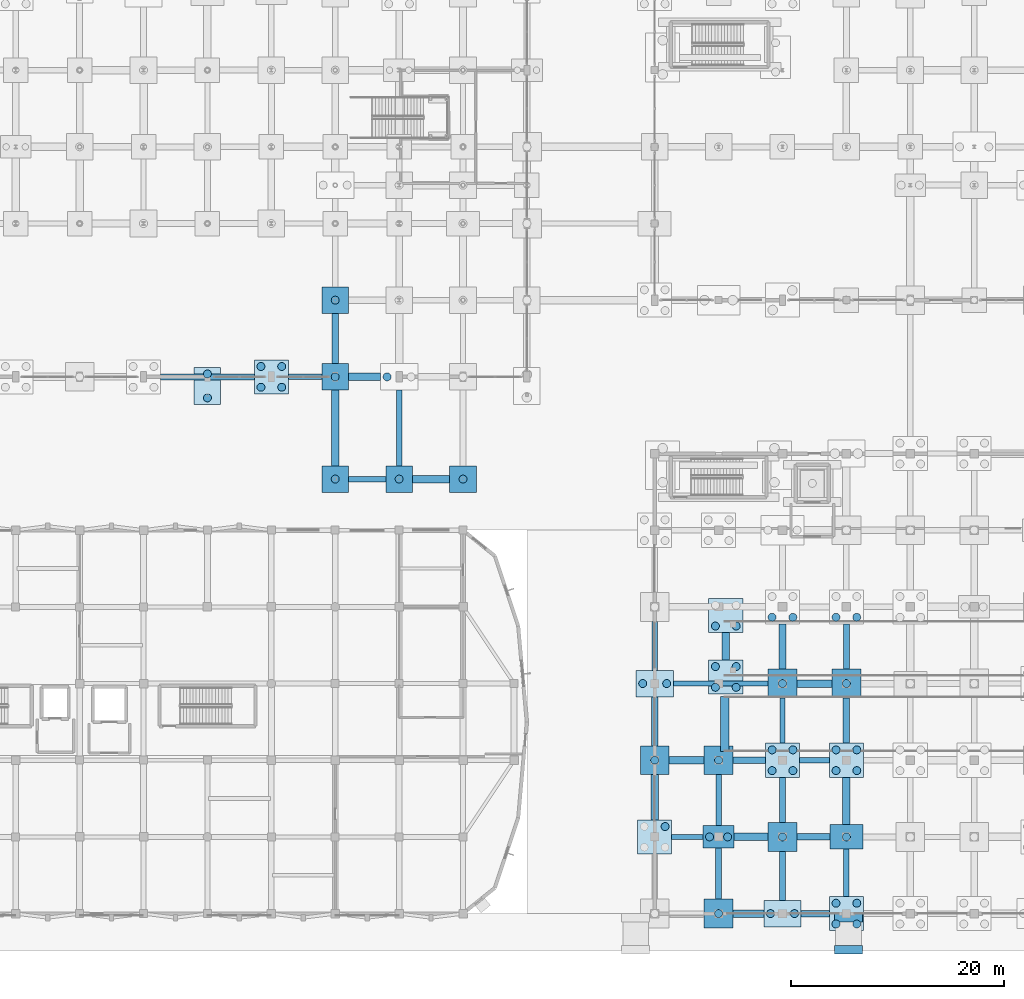
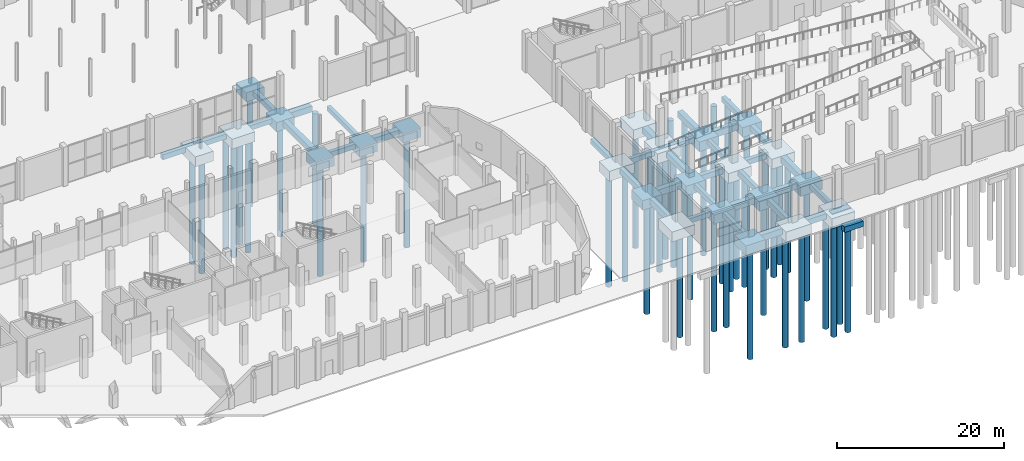
# One storey, part 2 of 103: 58 footings, 48 piles.
"""IFC4 building model written with IfcOpenShell, lengths in metres."""

import ifcopenshell
import ifcopenshell.guid

model = None  # the IFC model being written
_history = None  # IfcOwnerHistory: only IFC2X3 demands one
_inside = {}  # id of a spatial element -> (the spatial element, [elements in it])
_under = {}  # id of a project, library or spatial element -> (it, [spatial elements below it])
_declared = {}  # id of a project -> (the project, [libraries it declares])
_typed = {}  # id of a type object -> (the type object, [elements of that type])
_made_of = {}  # id of a material, layer set ... -> (it, [elements and type objects made of it])


def new_model(schema):
    """Start an empty IFC model of exactly this schema.

    Asked for "IFC4X3", IfcOpenShell would pick the latest addendum, in which some entities
    have other attributes; the version numbers below select the first issue.
    IFC2X3 requires an IfcOwnerHistory on every rooted entity: one is made here for all.
    """
    global model, _history
    if schema == "IFC4X3":
        model = ifcopenshell.file(schema_version=(4, 3, 0, 0))
    else:
        model = ifcopenshell.file(schema=schema)
    _inside.clear()
    _under.clear()
    _declared.clear()
    _typed.clear()
    _made_of.clear()
    _history = None
    if model.schema == "IFC2X3":
        org = make("IfcOrganization", Name="unknown")
        user = make(
            "IfcPersonAndOrganization",
            ThePerson=make("IfcPerson", FamilyName="unknown"),
            TheOrganization=org,
        )
        app = make(
            "IfcApplication",
            ApplicationDeveloper=org,
            Version="unknown",
            ApplicationFullName="unknown",
            ApplicationIdentifier="unknown",
        )
        _history = make(
            "IfcOwnerHistory",
            OwningUser=user,
            OwningApplication=app,
            ChangeAction="ADDED",
            CreationDate=0,
        )
    return model


def make(cls, **values):
    """One entity of the class cls with the attributes given. An attribute that is None is left unset."""
    return model.create_entity(
        cls, **{name: value for name, value in values.items() if value is not None}
    )


def rooted(cls, **values):
    """An entity with a GlobalId (a new one), such as an element, a storey or a relation."""
    return make(cls, GlobalId=ifcopenshell.guid.new(), OwnerHistory=_history, **values)


def si_unit(unit_type, name, prefix=None):
    """IfcSIUnit, for example si_unit("LENGTHUNIT", "METRE", prefix="MILLI")."""
    return make("IfcSIUnit", UnitType=unit_type, Prefix=prefix, Name=name)


def assignment(units):
    """IfcUnitAssignment: the units of a project."""
    return None if units is None else make("IfcUnitAssignment", Units=units)


def point(xyz):
    """IfcCartesianPoint."""
    return None if xyz is None else make("IfcCartesianPoint", Coordinates=xyz)


def direction(xyz):
    """IfcDirection."""
    return None if xyz is None else make("IfcDirection", DirectionRatios=xyz)


def frame(location, z_axis=None, x_axis=None):
    """IfcAxis2Placement3D, a coordinate frame: its origin and axes. An axis left out is left unset."""
    return make(
        "IfcAxis2Placement3D",
        Location=point(location),
        Axis=direction(z_axis),
        RefDirection=direction(x_axis),
    )


def frame_2d(location, x_axis=None):
    """IfcAxis2Placement2D, a coordinate frame in the plane: its origin and x axis."""
    return make(
        "IfcAxis2Placement2D", Location=point(location), RefDirection=direction(x_axis)
    )


def origin():
    """The frame at (0, 0, 0) with its axes left unset."""
    return frame((0.0, 0.0, 0.0))


def origin_2d():
    """The frame at (0, 0) in the plane with its x axis left unset."""
    return frame_2d((0.0, 0.0))


def place(relative_to, where):
    """IfcLocalPlacement: puts the frame where relative to a parent placement (None: the world)."""
    return make(
        "IfcLocalPlacement", PlacementRelTo=relative_to, RelativePlacement=where
    )


def context(
    kind, dimensions, precision=None, world=None, true_north=None, identifier=None
):
    """IfcGeometricRepresentationContext, for example the 3D "Model" context."""
    return make(
        "IfcGeometricRepresentationContext",
        ContextIdentifier=identifier,
        ContextType=kind,
        CoordinateSpaceDimension=dimensions,
        Precision=precision,
        WorldCoordinateSystem=world,
        TrueNorth=true_north,
    )


def subcontext(parent, identifier, kind, view, scale=None):
    """IfcGeometricRepresentationSubContext, for example "Body" below "Model"."""
    return make(
        "IfcGeometricRepresentationSubContext",
        ContextIdentifier=identifier,
        ContextType=kind,
        ParentContext=parent,
        TargetScale=scale,
        TargetView=view,
    )


def project(units=None, contexts=None):
    """IfcProject with its units and contexts."""
    return rooted(
        "IfcProject",
        Name="project",
        RepresentationContexts=contexts,
        UnitsInContext=assignment(units),
    )


def spatial(cls, under=None, at=None, **own):
    """A site, building, storey or space (cls), placed at a placement, below another one or the project."""
    s = rooted(cls, ObjectPlacement=at, **own)
    if under is not None:
        _under.setdefault(under.id(), (under, []))[1].append(s)
    return s


def profile(cls, at=None, kind="AREA", **sizes):
    """A parametric profile (cls). Its sizes go by their IFC names, for example OverallWidth=200.0."""
    return make(cls, ProfileType=kind, Position=at, **sizes)


def rectangle(**sizes):
    """IfcRectangleProfileDef."""
    return profile("IfcRectangleProfileDef", **sizes)


def circle(**sizes):
    """IfcCircleProfileDef."""
    return profile("IfcCircleProfileDef", **sizes)


def extrude(swept, where, along, depth):
    """IfcExtrudedAreaSolid: the profile swept, set in the frame where, extruded along a direction by depth."""
    return make(
        "IfcExtrudedAreaSolid",
        SweptArea=swept,
        Position=where,
        ExtrudedDirection=direction(along),
        Depth=depth,
    )


def shape(context_of_items, identifier, shape_type, items):
    """IfcShapeRepresentation: the items that make up one representation, for example the "Body"."""
    return make(
        "IfcShapeRepresentation",
        ContextOfItems=context_of_items,
        RepresentationIdentifier=identifier,
        RepresentationType=shape_type,
        Items=items,
    )


def material(Name=None, Category=None):
    """IfcMaterial."""
    return make("IfcMaterial", Name=Name, Category=Category)


def material_profile(
    of_material, cross_section, Name=None, Category=None, Priority=None
):
    """IfcMaterialProfile: a cross section and its material."""
    return make(
        "IfcMaterialProfile",
        Name=Name,
        Material=of_material,
        Profile=cross_section,
        Priority=Priority,
        Category=Category,
    )


def profile_set(profiles, Name=None, composite=None):
    """IfcMaterialProfileSet."""
    return make(
        "IfcMaterialProfileSet",
        Name=Name,
        MaterialProfiles=profiles,
        CompositeProfile=composite,
    )


def made_of(thing, what):
    """Note that an element or type object is made of a material, layer set ...; save() writes the relation."""
    if what is not None:
        _made_of.setdefault(what.id(), (what, []))[1].append(thing)
    return thing


def type_object(cls, material=None, **own):
    """A type object (cls), such as IfcWallType, which elements share."""
    return made_of(rooted(cls, **own), material)


def element(
    cls,
    number,
    at=None,
    inside=None,
    cuts=None,
    type_object=None,
    material=None,
    context=None,
    identifier="Body",
    shape_type=None,
    held_by="IfcProductDefinitionShape",
    body=None,
    shapes=None,
    **own,
):
    """One element of the class cls, such as IfcWall. Its Tag is "e" and its number.

    at: its placement. inside: the storey or other place that contains it. cuts: it is an
    opening in that element (IfcRelVoidsElement). A single representation is given by context,
    identifier, shape_type and body (its items); several are given by shapes. held_by: the class
    of the entity that holds the representations. save() writes the other relations.
    """
    e = rooted(cls, Tag="e%d" % number, ObjectPlacement=at, **own)
    if body is not None:
        shapes = [shape(context, identifier, shape_type, body)]
    if shapes is not None:
        e.Representation = make(held_by, Representations=shapes)
    if inside is not None:
        _inside.setdefault(inside.id(), (inside, []))[1].append(e)
    if cuts is not None:
        rooted(
            "IfcRelVoidsElement", RelatingBuildingElement=cuts, RelatedOpeningElement=e
        )
    if type_object is not None:
        _typed.setdefault(type_object.id(), (type_object, []))[1].append(e)
    return made_of(e, material)


def aggregate(whole, parts):
    """IfcRelAggregates: a whole, such as a stair, and the parts it consists of."""
    return rooted("IfcRelAggregates", RelatingObject=whole, RelatedObjects=parts)


def save(model, path):
    """Write the relations noted so far, then the file.

    IfcRelAggregates (storeys below a building ...), IfcRelContainedInSpatialStructure (elements
    in a storey), IfcRelDefinesByType, IfcRelAssociatesMaterial and IfcRelDeclares: one each for
    every whole, place, type object, material and project.
    """
    for whole, parts in _under.values():
        aggregate(whole, parts)
    for where, things in _inside.values():
        rooted(
            "IfcRelContainedInSpatialStructure",
            RelatedElements=things,
            RelatingStructure=where,
        )
    for kind, things in _typed.values():
        rooted("IfcRelDefinesByType", RelatedObjects=things, RelatingType=kind)
    for what, things in _made_of.values():
        rooted("IfcRelAssociatesMaterial", RelatedObjects=things, RelatingMaterial=what)
    for by, libraries in _declared.values():
        rooted("IfcRelDeclares", RelatingContext=by, RelatedDefinitions=libraries)
    model.write(path)


model = new_model("IFC4")

# Units and contexts
model_context = context("Model", 3, precision=1e-05, world=origin(), true_north=direction((0.0, 1.0)))
body_context = subcontext(model_context, "Body", "Model", "MODEL_VIEW")
ifc_project = project(units=[si_unit("LENGTHUNIT", "METRE"), si_unit("AREAUNIT", "SQUARE_METRE"), si_unit("VOLUMEUNIT", "CUBIC_METRE"), si_unit("PLANEANGLEUNIT", "RADIAN"), si_unit("MASSUNIT", "GRAM", prefix="KILO")], contexts=[model_context])

# Site, building, storey
site_placement = place(None, origin())
site = spatial("IfcSite", under=ifc_project, at=site_placement, CompositionType="ELEMENT")
building_placement = place(site_placement, origin())
building = spatial("IfcBuilding", under=site, at=building_placement, Name="Dunvalen Ferry Terminal", CompositionType="ELEMENT")
storey_placement = place(building_placement, origin())
storey = spatial("IfcBuildingStorey", under=building, at=storey_placement, Name="L00", CompositionType="ELEMENT", Elevation=0.0)

# Footings
ifc_material = material(Name="Concrete C40/50", Category="concrete")
ifc_material_profile_1 = material_profile(ifc_material, rectangle(XDim=0.5, YDim=0.699951171875, at=origin_2d()), Name="Concrete C40/50")
ifc_profile_set_1 = profile_set([ifc_material_profile_1], Name="Concrete C40/50")
footing_type_1 = type_object("IfcFootingType", Name="STR-GB-500x700", PredefinedType="FOOTING_BEAM", material=ifc_profile_set_1)
footing_1_placement = place(storey_placement, frame((109.60009765625, 7.199951171875, -0.669921875), z_axis=(1.0, 0.0, 0.0), x_axis=(0.0, 1.0, 0.0)))
element("IfcFooting", 1, at=footing_1_placement, inside=storey, type_object=footing_type_1, Name="L00 Ground Beam X-139", PredefinedType="FOOTING_BEAM", context=body_context, shape_type="SweptSolid", body=[
    extrude(rectangle(XDim=0.5, YDim=0.699951171875, at=origin_2d()), origin(), (0.0, 0.0, 1.0), 2.949951171875),
])
footing_2_placement = place(storey_placement, frame((109.75, 21.60009765625, -0.669921875), z_axis=(1.0, 0.0, 0.0), x_axis=(0.0, 1.0, 0.0)))
element("IfcFooting", 2, at=footing_2_placement, inside=storey, type_object=footing_type_1, Name="L00 Ground Beam X-155", PredefinedType="FOOTING_BEAM", context=body_context, shape_type="SweptSolid", body=[
    extrude(rectangle(XDim=0.5, YDim=0.699951171875, at=origin_2d()), origin(), (0.0, 0.0, 1.0), 8.89990234375),
])
footing_3_placement = place(storey_placement, frame((79.25, 40.800048828125, -0.669921875), z_axis=(1.0, 0.0, 0.0), x_axis=(0.0, 1.0, 0.0)))
element("IfcFooting", 3, at=footing_3_placement, inside=storey, type_object=footing_type_1, Name="L00 Ground Beam X-179", PredefinedType="FOOTING_BEAM", context=body_context, shape_type="SweptSolid", body=[
    extrude(rectangle(XDim=0.5, YDim=0.699951171875, at=origin_2d()), origin(), (0.0, 0.0, 1.0), 3.5),
])
footing_4_placement = place(storey_placement, frame((73.60009765625, 50.39990234375, -0.669921875), z_axis=(1.0, 0.0, 0.0), x_axis=(0.0, 1.0, 0.0)))
element("IfcFooting", 4, at=footing_4_placement, inside=storey, type_object=footing_type_1, Name="L00 Ground Beam X-199", PredefinedType="FOOTING_BEAM", context=body_context, shape_type="SweptSolid", body=[
    extrude(rectangle(XDim=0.5, YDim=0.699951171875, at=origin_2d()), origin(), (0.0, 0.0, 1.0), 3.14990234375),
])
footing_5_placement = place(storey_placement, frame((84.0, 42.050048828125, -0.669921875), z_axis=(0.0, 1.0, 0.0), x_axis=(-1.0, 0.0, 0.0)))
element("IfcFooting", 5, at=footing_5_placement, inside=storey, type_object=footing_type_1, Name="L00 Ground Beam Y-431", PredefinedType="FOOTING_BEAM", context=body_context, shape_type="SweptSolid", body=[
    extrude(rectangle(XDim=0.5, YDim=0.699951171875, at=origin_2d()), origin(), (0.0, 0.0, 1.0), 7.099853515625),
])
footing_6_placement = place(storey_placement, frame((114.0, 8.25, -0.669921875), z_axis=(0.0, 1.0, 0.0), x_axis=(-1.0, 0.0, 0.0)))
element("IfcFooting", 6, at=footing_6_placement, inside=storey, type_object=footing_type_1, Name="L00 Ground Beam Y-459", PredefinedType="FOOTING_BEAM", context=body_context, shape_type="SweptSolid", body=[
    extrude(rectangle(XDim=0.5, YDim=0.699951171875, at=origin_2d()), origin(), (0.0, 0.0, 1.0), 4.800048828125),
])
footing_7_placement = place(storey_placement, frame((120.0, 16.0, -0.669921875), z_axis=(0.0, 1.0, 0.0), x_axis=(-1.0, 0.0, 0.0)))
element("IfcFooting", 7, at=footing_7_placement, inside=storey, type_object=footing_type_1, Name="L00 Ground Beam Y-463", PredefinedType="FOOTING_BEAM", context=body_context, shape_type="SweptSolid", body=[
    extrude(rectangle(XDim=0.5, YDim=0.699951171875, at=origin_2d()), origin(), (0.0, 0.0, 1.0), 4.25),
])
footing_8_placement = place(storey_placement, frame((126.0, 1.60009765625, -0.669921875), z_axis=(0.0, 1.0, 0.0), x_axis=(-1.0, 0.0, 0.0)))
element("IfcFooting", 8, at=footing_8_placement, inside=storey, type_object=footing_type_1, Name="L00 Ground Beam Y-467", PredefinedType="FOOTING_BEAM", context=body_context, shape_type="SweptSolid", body=[
    extrude(rectangle(XDim=0.5, YDim=0.699951171875, at=origin_2d()), origin(), (0.0, 0.0, 1.0), 4.449951171875),
])
ifc_material_profile_2 = material_profile(ifc_material, rectangle(XDim=0.550048828125, YDim=0.75, at=origin_2d()), Name="Concrete C40/50")
ifc_profile_set_2 = profile_set([ifc_material_profile_2], Name="Concrete C40/50")
footing_type_2 = type_object("IfcFootingType", Name="STR-GB-550x750", PredefinedType="FOOTING_BEAM", material=ifc_profile_set_2)
footing_9_placement = place(storey_placement, frame((121.60009765625, 14.39990234375, -0.695068359375), z_axis=(1.0, 0.0, 0.0), x_axis=(0.0, 1.0, 0.0)))
element("IfcFooting", 9, at=footing_9_placement, inside=storey, type_object=footing_type_2, Name="L00 Ground Beam X-150", PredefinedType="FOOTING_BEAM", context=body_context, shape_type="SweptSolid", body=[
    extrude(rectangle(XDim=0.550048828125, YDim=0.75, at=origin_2d()), origin(), (0.0, 0.0, 1.0), 2.7998046875),
])
footing_10_placement = place(storey_placement, frame((61.60009765625, 50.39990234375, -0.695068359375), z_axis=(1.0, 0.0, 0.0), x_axis=(0.0, 1.0, 0.0)))
element("IfcFooting", 10, at=footing_10_placement, inside=storey, type_object=footing_type_2, Name="L00 Ground Beam X-198", PredefinedType="FOOTING_BEAM", context=body_context, shape_type="SweptSolid", body=[
    extrude(rectangle(XDim=0.550048828125, YDim=0.75, at=origin_2d()), origin(), (0.0, 0.0, 1.0), 8.7998046875),
])
footing_11_placement = place(storey_placement, frame((108.0, 22.85009765625, -0.695068359375), z_axis=(0.0, 1.0, 0.0), x_axis=(-1.0, 0.0, 0.0)))
element("IfcFooting", 11, at=footing_11_placement, inside=storey, type_object=footing_type_2, Name="L00 Ground Beam Y-454", PredefinedType="FOOTING_BEAM", context=body_context, shape_type="SweptSolid", body=[
    extrude(rectangle(XDim=0.550048828125, YDim=0.75, at=origin_2d()), origin(), (0.0, 0.0, 1.0), 4.599853515625),
])
footing_12_placement = place(storey_placement, frame((114.0, 1.35009765625, -0.695068359375), z_axis=(0.0, 1.0, 0.0), x_axis=(-1.0, 0.0, 0.0)))
element("IfcFooting", 12, at=footing_12_placement, inside=storey, type_object=footing_type_2, Name="L00 Ground Beam Y-458", PredefinedType="FOOTING_BEAM", context=body_context, shape_type="SweptSolid", body=[
    extrude(rectangle(XDim=0.550048828125, YDim=0.75, at=origin_2d()), origin(), (0.0, 0.0, 1.0), 4.7998046875),
])
for number, where, z_axis, x_axis, name in (
    (13, (120.0, 8.550048828125, -0.695068359375), (0.0, 1.0, 0.0), (-1.0, 0.0, 0.0), "L00 Ground Beam Y-462"),
    (14, (126.0, 22.949951171875, -0.695068359375), (0.0, 1.0, 0.0), (-1.0, 0.0, 0.0), "L00 Ground Beam Y-470"),
):
    element("IfcFooting", number, at=place(storey_placement, frame(where, z_axis=z_axis, x_axis=x_axis)), inside=storey, type_object=footing_type_2, Name=name, PredefinedType="FOOTING_BEAM", context=body_context, shape_type="SweptSolid", body=[
        extrude(rectangle(XDim=0.550048828125, YDim=0.75, at=origin_2d()), origin(), (0.0, 0.0, 1.0), 4.25),
    ])
ifc_material_profile_3 = material_profile(ifc_material, rectangle(XDim=0.60009765625, YDim=0.800048828125, at=origin_2d()), Name="Concrete C40/50")
ifc_profile_set_3 = profile_set([ifc_material_profile_3], Name="Concrete C40/50")
footing_type_3 = type_object("IfcFootingType", Name="STR-GB-600x800", PredefinedType="FOOTING_BEAM", material=ifc_profile_set_3)
footing_13_placement = place(storey_placement, frame((121.75, 0.0, -0.719970703125), z_axis=(1.0, 0.0, 0.0), x_axis=(0.0, 1.0, 0.0)))
element("IfcFooting", 15, at=footing_13_placement, inside=storey, type_object=footing_type_3, Name="L00 Ground Beam X-133", PredefinedType="FOOTING_BEAM", context=body_context, shape_type="SweptSolid", body=[
    extrude(rectangle(XDim=0.60009765625, YDim=0.800048828125, at=origin_2d()), origin(), (0.0, 0.0, 1.0), 2.64990234375),
])
footing_14_placement = place(storey_placement, frame((121.35009765625, 7.199951171875, -0.719970703125), z_axis=(1.0, 0.0, 0.0), x_axis=(0.0, 1.0, 0.0)))
element("IfcFooting", 16, at=footing_14_placement, inside=storey, type_object=footing_type_3, Name="L00 Ground Beam X-141", PredefinedType="FOOTING_BEAM", context=body_context, shape_type="SweptSolid", body=[
    extrude(rectangle(XDim=0.60009765625, YDim=0.800048828125, at=origin_2d()), origin(), (0.0, 0.0, 1.0), 3.099853515625),
])
footing_15_placement = place(storey_placement, frame((115.35009765625, 14.39990234375, -0.719970703125), z_axis=(1.0, 0.0, 0.0), x_axis=(0.0, 1.0, 0.0)))
element("IfcFooting", 17, at=footing_15_placement, inside=storey, type_object=footing_type_3, Name="L00 Ground Beam X-149", PredefinedType="FOOTING_BEAM", context=body_context, shape_type="SweptSolid", body=[
    extrude(rectangle(XDim=0.60009765625, YDim=0.800048828125, at=origin_2d()), origin(), (0.0, 0.0, 1.0), 3.0498046875),
])
footing_16_placement = place(storey_placement, frame((78.0, 51.64990234375, -0.719970703125), z_axis=(0.0, 1.0, 0.0), x_axis=(-1.0, 0.0, 0.0)))
element("IfcFooting", 18, at=footing_16_placement, inside=storey, type_object=footing_type_3, Name="L00 Ground Beam Y-425", PredefinedType="FOOTING_BEAM", context=body_context, shape_type="SweptSolid", body=[
    extrude(rectangle(XDim=0.60009765625, YDim=0.800048828125, at=origin_2d()), origin(), (0.0, 0.0, 1.0), 4.7001953125),
])
for number, where, z_axis, x_axis, name in (
    (19, (108.0, 15.75, -0.719970703125), (0.0, 1.0, 0.0), (-1.0, 0.0, 0.0), "L00 Ground Beam Y-453"),
    (20, (120.0, 1.25, -0.719970703125), (0.0, 1.0, 0.0), (-1.0, 0.0, 0.0), "L00 Ground Beam Y-461"),
):
    element("IfcFooting", number, at=place(storey_placement, frame(where, z_axis=z_axis, x_axis=x_axis)), inside=storey, type_object=footing_type_3, Name=name, PredefinedType="FOOTING_BEAM", context=body_context, shape_type="SweptSolid", body=[
        extrude(rectangle(XDim=0.60009765625, YDim=0.800048828125, at=origin_2d()), origin(), (0.0, 0.0, 1.0), 4.60009765625),
    ])
footing_17_placement = place(storey_placement, frame((126.0, 16.0, -0.719970703125), z_axis=(0.0, 1.0, 0.0), x_axis=(-1.0, 0.0, 0.0)))
element("IfcFooting", 21, at=footing_17_placement, inside=storey, type_object=footing_type_3, Name="L00 Ground Beam Y-469", PredefinedType="FOOTING_BEAM", context=body_context, shape_type="SweptSolid", body=[
    extrude(rectangle(XDim=0.60009765625, YDim=0.800048828125, at=origin_2d()), origin(), (0.0, 0.0, 1.0), 4.25),
])
ifc_material_profile_4 = material_profile(ifc_material, rectangle(XDim=0.699951171875, YDim=0.89990234375, at=origin_2d()), Name="Concrete C40/50")
ifc_profile_set_4 = profile_set([ifc_material_profile_4], Name="Concrete C40/50")
footing_type_4 = type_object("IfcFootingType", Name="STR-GB-700x900", PredefinedType="FOOTING_BEAM", material=ifc_profile_set_4)
footing_18_placement = place(storey_placement, frame((115.35009765625, 0.0, -0.77001953125), z_axis=(1.0, 0.0, 0.0), x_axis=(0.0, 1.0, 0.0)))
element("IfcFooting", 22, at=footing_18_placement, inside=storey, type_object=footing_type_4, Name="L00 Ground Beam X-132", PredefinedType="FOOTING_BEAM", context=body_context, shape_type="SweptSolid", body=[
    extrude(rectangle(XDim=0.699951171875, YDim=0.89990234375, at=origin_2d()), origin(), (0.0, 0.0, 1.0), 2.89990234375),
])
footing_19_placement = place(storey_placement, frame((115.449951171875, 7.199951171875, -0.77001953125), z_axis=(1.0, 0.0, 0.0), x_axis=(0.0, 1.0, 0.0)))
element("IfcFooting", 23, at=footing_19_placement, inside=storey, type_object=footing_type_4, Name="L00 Ground Beam X-140", PredefinedType="FOOTING_BEAM", context=body_context, shape_type="SweptSolid", body=[
    extrude(rectangle(XDim=0.699951171875, YDim=0.89990234375, at=origin_2d()), origin(), (0.0, 0.0, 1.0), 3.199951171875),
])
for number, where, z_axis, x_axis, name in (
    (24, (109.35009765625, 14.39990234375, -0.77001953125), (1.0, 0.0, 0.0), (0.0, 1.0, 0.0), "L00 Ground Beam X-148"),
    (25, (121.35009765625, 21.60009765625, -0.77001953125), (1.0, 0.0, 0.0), (0.0, 1.0, 0.0), "L00 Ground Beam X-156"),
):
    element("IfcFooting", number, at=place(storey_placement, frame(where, z_axis=z_axis, x_axis=x_axis)), inside=storey, type_object=footing_type_4, Name=name, PredefinedType="FOOTING_BEAM", context=body_context, shape_type="SweptSolid", body=[
        extrude(rectangle(XDim=0.699951171875, YDim=0.89990234375, at=origin_2d()), origin(), (0.0, 0.0, 1.0), 3.2998046875),
    ])
footing_20_placement = place(storey_placement, frame((85.25, 40.800048828125, -0.77001953125), z_axis=(1.0, 0.0, 0.0), x_axis=(0.0, 1.0, 0.0)))
element("IfcFooting", 26, at=footing_20_placement, inside=storey, type_object=footing_type_4, Name="L00 Ground Beam X-180", PredefinedType="FOOTING_BEAM", context=body_context, shape_type="SweptSolid", body=[
    extrude(rectangle(XDim=0.699951171875, YDim=0.89990234375, at=origin_2d()), origin(), (0.0, 0.0, 1.0), 3.5),
])
footing_21_placement = place(storey_placement, frame((79.25, 50.39990234375, -0.77001953125), z_axis=(1.0, 0.0, 0.0), x_axis=(0.0, 1.0, 0.0)))
element("IfcFooting", 27, at=footing_21_placement, inside=storey, type_object=footing_type_4, Name="L00 Ground Beam X-200", PredefinedType="FOOTING_BEAM", context=body_context, shape_type="SweptSolid", body=[
    extrude(rectangle(XDim=0.699951171875, YDim=0.89990234375, at=origin_2d()), origin(), (0.0, 0.0, 1.0), 3.0),
])
footing_22_placement = place(storey_placement, frame((78.0, 42.050048828125, -0.77001953125), z_axis=(0.0, 1.0, 0.0), x_axis=(-1.0, 0.0, 0.0)))
element("IfcFooting", 28, at=footing_22_placement, inside=storey, type_object=footing_type_4, Name="L00 Ground Beam Y-424", PredefinedType="FOOTING_BEAM", context=body_context, shape_type="SweptSolid", body=[
    extrude(rectangle(XDim=0.699951171875, YDim=0.89990234375, at=origin_2d()), origin(), (0.0, 0.0, 1.0), 7.099853515625),
])
footing_23_placement = place(storey_placement, frame((108.0, 8.800048828125, -0.77001953125), z_axis=(0.0, 1.0, 0.0), x_axis=(-1.0, 0.0, 0.0)))
element("IfcFooting", 29, at=footing_23_placement, inside=storey, type_object=footing_type_4, Name="L00 Ground Beam Y-452", PredefinedType="FOOTING_BEAM", context=body_context, shape_type="SweptSolid", body=[
    extrude(rectangle(XDim=0.699951171875, YDim=0.89990234375, at=origin_2d()), origin(), (0.0, 0.0, 1.0), 4.25),
])
footing_24_placement = place(storey_placement, frame((114.675048828125, 23.824951171875, -0.77001953125), z_axis=(0.0, 1.0, 0.0), x_axis=(-1.0, 0.0, 0.0)))
element("IfcFooting", 30, at=footing_24_placement, inside=storey, type_object=footing_type_4, Name="L00 Ground Beam Y-460", PredefinedType="FOOTING_BEAM", context=body_context, shape_type="SweptSolid", body=[
    extrude(rectangle(XDim=0.699951171875, YDim=0.89990234375, at=origin_2d()), origin(), (0.0, 0.0, 1.0), 2.550048828125),
])
footing_25_placement = place(storey_placement, frame((120.0, 22.949951171875, -0.77001953125), z_axis=(0.0, 1.0, 0.0), x_axis=(-1.0, 0.0, 0.0)))
element("IfcFooting", 31, at=footing_25_placement, inside=storey, type_object=footing_type_4, Name="L00 Ground Beam Y-464", PredefinedType="FOOTING_BEAM", context=body_context, shape_type="SweptSolid", body=[
    extrude(rectangle(XDim=0.699951171875, YDim=0.89990234375, at=origin_2d()), origin(), (0.0, 0.0, 1.0), 4.25),
])
footing_26_placement = place(storey_placement, frame((126.0, 8.35009765625, -0.77001953125), z_axis=(0.0, 1.0, 0.0), x_axis=(-1.0, 0.0, 0.0)))
element("IfcFooting", 32, at=footing_26_placement, inside=storey, type_object=footing_type_4, Name="L00 Ground Beam Y-468", PredefinedType="FOOTING_BEAM", context=body_context, shape_type="SweptSolid", body=[
    extrude(rectangle(XDim=0.699951171875, YDim=0.89990234375, at=origin_2d()), origin(), (0.0, 0.0, 1.0), 4.449951171875),
])
footing_type_5 = type_object("IfcFootingType", Name="STR-PC-05", PredefinedType="PILE_CAP", material=ifc_material)
for number, where, z_axis, x_axis, name in (
    (33, (78.0, 40.800048828125, -1.670166015625), (0.0, 0.0, 1.0), (1.0, 0.0, 0.0), "L00 Pile Cap 105"),
    (34, (78.0, 50.39990234375, -1.670166015625), (0.0, 0.0, 1.0), (1.0, 0.0, 0.0), "L00 Pile Cap 106"),
    (35, (78.0, 57.60009765625, -1.670166015625), (0.0, 0.0, 1.0), (1.0, 0.0, 0.0), "L00 Pile Cap 107"),
    (36, (84.0, 40.800048828125, -1.670166015625), (0.0, 0.0, 1.0), (1.0, 0.0, 0.0), "L00 Pile Cap 113"),
    (37, (90.0, 40.800048828125, -1.670166015625), (0.0, 0.0, 1.0), (1.0, 0.0, 0.0), "L00 Pile Cap 121"),
):
    element("IfcFooting", number, at=place(storey_placement, frame(where, z_axis=z_axis, x_axis=x_axis)), inside=storey, type_object=footing_type_5, Name=name, PredefinedType="PILE_CAP", context=body_context, shape_type="SweptSolid", body=[
        extrude(rectangle(XDim=2.5, YDim=2.5, at=origin_2d()), origin(), (0.0, 0.0, 1.0), 1.35009765625),
    ])
footing_type_6 = type_object("IfcFootingType", Name="STR-PC-06", PredefinedType="PILE_CAP", material=ifc_material)
for number, where, z_axis, x_axis, name in (
    (38, (108.0, 14.39990234375, -1.719970703125), (0.0, 0.0, 1.0), (1.0, 0.0, 0.0), "L00 Pile Cap 138"),
    (39, (114.0, 0.0, -1.719970703125), (0.0, 0.0, 1.0), (1.0, 0.0, 0.0), "L00 Pile Cap 148"),
    (40, (114.0, 14.39990234375, -1.719970703125), (0.0, 0.0, 1.0), (1.0, 0.0, 0.0), "L00 Pile Cap 150"),
    (41, (120.0, 7.199951171875, -1.719970703125), (0.0, 0.0, 1.0), (1.0, 0.0, 0.0), "L00 Pile Cap 160"),
    (42, (120.0, 21.60009765625, -1.719970703125), (0.0, 0.0, 1.0), (1.0, 0.0, 0.0), "L00 Pile Cap 162"),
    (43, (126.0, 21.60009765625, -1.719970703125), (0.0, 0.0, 1.0), (1.0, 0.0, 0.0), "L00 Pile Cap 175"),
):
    element("IfcFooting", number, at=place(storey_placement, frame(where, z_axis=z_axis, x_axis=x_axis)), inside=storey, type_object=footing_type_6, Name=name, PredefinedType="PILE_CAP", context=body_context, shape_type="SweptSolid", body=[
        extrude(rectangle(XDim=2.699951171875, YDim=2.699951171875, at=origin_2d()), origin(), (0.0, 0.0, 1.0), 1.39990234375),
    ])
footing_type_7 = type_object("IfcFootingType", Name="STR-PC-07", PredefinedType="PILE_CAP", material=ifc_material)
footing_27_placement = place(storey_placement, frame((114.0, 7.199951171875, -1.670166015625), z_axis=(0.0, 0.0, 1.0), x_axis=(1.0, 0.0, 0.0)))
element("IfcFooting", 44, at=footing_27_placement, inside=storey, type_object=footing_type_7, Name="L00 Pile Cap 149", PredefinedType="PILE_CAP", context=body_context, shape_type="SweptSolid", body=[
    extrude(rectangle(XDim=2.89990234375, YDim=2.10009765625, at=origin_2d()), origin(), (0.0, 0.0, 1.0), 1.35009765625),
])
footing_type_8 = type_object("IfcFootingType", Name="STR-PC-08", PredefinedType="PILE_CAP", material=ifc_material)
footing_28_placement = place(storey_placement, frame((126.0, 7.199951171875, -1.719970703125), z_axis=(0.0, 0.0, 1.0), x_axis=(1.0, 0.0, 0.0)))
element("IfcFooting", 45, at=footing_28_placement, inside=storey, type_object=footing_type_8, Name="L00 Pile Cap 173", PredefinedType="PILE_CAP", context=body_context, shape_type="SweptSolid", body=[
    extrude(rectangle(XDim=3.10009765625, YDim=2.300048828125, at=origin_2d()), origin(), (0.0, 0.0, 1.0), 1.39990234375),
])
footing_type_9 = type_object("IfcFootingType", Name="STR-PC-09", PredefinedType="PILE_CAP", material=ifc_material)
for number, where, z_axis, x_axis, name in (
    (46, (72.0, 50.39990234375, -1.77001953125), (0.0, 0.0, 1.0), (1.0, 0.0, 0.0), "L00 Pile Cap 100"),
    (47, (108.0, 7.199951171875, -1.77001953125), (0.0, 0.0, 1.0), (1.0, 0.0, 0.0), "L00 Pile Cap 137"),
    (48, (114.675048828125, 22.22509765625, -1.77001953125), (0.0, 0.0, 1.0), (1.0, 0.0, 0.0), "L00 Pile Cap 151"),
    (49, (114.675048828125, 27.97509765625, -1.77001953125), (0.0, 0.0, 1.0), (1.0, 0.0, 0.0), "L00 Pile Cap 152"),
    (50, (120.0, 14.39990234375, -1.77001953125), (0.0, 0.0, 1.0), (1.0, 0.0, 0.0), "L00 Pile Cap 161"),
    (51, (126.0, 0.0, -1.77001953125), (0.0, 0.0, 1.0), (1.0, 0.0, 0.0), "L00 Pile Cap 172"),
    (52, (126.0, 14.39990234375, -1.77001953125), (0.0, 0.0, 1.0), (1.0, 0.0, 0.0), "L00 Pile Cap 174"),
):
    element("IfcFooting", number, at=place(storey_placement, frame(where, z_axis=z_axis, x_axis=x_axis)), inside=storey, type_object=footing_type_9, Name=name, PredefinedType="PILE_CAP", context=body_context, shape_type="SweptSolid", body=[
        extrude(rectangle(XDim=3.199951171875, YDim=3.199951171875, at=origin_2d()), origin(), (0.0, 0.0, 1.0), 1.449951171875),
    ])
footing_type_10 = type_object("IfcFootingType", Name="STR-PC-10", PredefinedType="PILE_CAP", material=ifc_material)
for number, where, z_axis, x_axis, name in (
    (53, (66.0, 49.550048828125, -1.77001953125), (0.0, 0.0, 1.0), (0.0, 1.0, 0.0), "L00 Pile Cap 095"),
    (54, (108.0, 21.60009765625, -1.77001953125), (0.0, 0.0, 1.0), (1.0, 0.0, 0.0), "L00 Pile Cap 139"),
    (55, (120.0, 0.0, -1.77001953125), (0.0, 0.0, 1.0), (1.0, 0.0, 0.0), "L00 Pile Cap 159"),
):
    element("IfcFooting", number, at=place(storey_placement, frame(where, z_axis=z_axis, x_axis=x_axis)), inside=storey, type_object=footing_type_10, Name=name, PredefinedType="PILE_CAP", context=body_context, shape_type="SweptSolid", body=[
        extrude(rectangle(XDim=3.5, YDim=2.5, at=origin_2d()), origin(), (0.0, 0.0, 1.0), 1.449951171875),
    ])

# Piles
ifc_material_profile_5 = material_profile(ifc_material, circle(Radius=0.375, at=origin_2d()), Name="Concrete C40/50")
ifc_profile_set_5 = profile_set([ifc_material_profile_5], Name="Concrete C40/50")
pile_type = type_object("IfcPileType", Name="STR-PILE-P750", PredefinedType="BORED", material=ifc_profile_set_5)
for number, where, z_axis, x_axis, name in (
    (56, (66.0, 48.425048828125, -1.669921875), (0.0, 0.0, -1.0), (1.0, 0.0, 0.0), "L00 Bored Pile 095.1"),
    (57, (66.0, 50.675048828125, -1.669921875), (0.0, 0.0, -1.0), (1.0, 0.0, 0.0), "L00 Bored Pile 095.2"),
    (58, (71.02490234375, 49.425048828125, -1.669921875), (0.0, 0.0, -1.0), (1.0, 0.0, 0.0), "L00 Bored Pile 100.1"),
    (59, (72.97509765625, 49.425048828125, -1.669921875), (0.0, 0.0, -1.0), (1.0, 0.0, 0.0), "L00 Bored Pile 100.2"),
    (60, (71.02490234375, 51.375, -1.669921875), (0.0, 0.0, -1.0), (1.0, 0.0, 0.0), "L00 Bored Pile 100.3"),
    (61, (72.97509765625, 51.375, -1.669921875), (0.0, 0.0, -1.0), (1.0, 0.0, 0.0), "L00 Bored Pile 100.4"),
):
    element("IfcPile", number, at=place(storey_placement, frame(where, z_axis=z_axis, x_axis=x_axis)), inside=storey, type_object=pile_type, Name=name, PredefinedType="BORED", context=body_context, shape_type="SweptSolid", body=[
        extrude(circle(Radius=0.375, at=origin_2d()), origin(), (0.0, 0.0, 1.0), 16.330078125),
    ])
for number, where, z_axis, x_axis, name in (
    (62, (78.0, 40.800048828125, -1.570068359375), (0.0, 0.0, -1.0), (1.0, 0.0, 0.0), "L00 Bored Pile 105.1"),
    (63, (78.0, 50.39990234375, -1.570068359375), (0.0, 0.0, -1.0), (1.0, 0.0, 0.0), "L00 Bored Pile 106.1"),
    (64, (78.0, 57.60009765625, -1.570068359375), (0.0, 0.0, -1.0), (1.0, 0.0, 0.0), "L00 Bored Pile 107.1"),
    (65, (84.0, 40.800048828125, -1.570068359375), (0.0, 0.0, -1.0), (1.0, 0.0, 0.0), "L00 Bored Pile 113.1"),
):
    element("IfcPile", number, at=place(storey_placement, frame(where, z_axis=z_axis, x_axis=x_axis)), inside=storey, type_object=pile_type, Name=name, PredefinedType="BORED", context=body_context, shape_type="SweptSolid", body=[
        extrude(circle(Radius=0.375, at=origin_2d()), origin(), (0.0, 0.0, 1.0), 16.429931640625),
    ])
pile_1_placement = place(storey_placement, frame((82.875, 50.39990234375, -1.669921875), z_axis=(0.0, 0.0, -1.0), x_axis=(1.0, 0.0, 0.0)))
element("IfcPile", 66, at=pile_1_placement, inside=storey, type_object=pile_type, Name="L00 Bored Pile 114.1", PredefinedType="BORED", context=body_context, shape_type="SweptSolid", body=[
    extrude(circle(Radius=0.375, at=origin_2d()), origin(), (0.0, 0.0, 1.0), 16.330078125),
])
pile_2_placement = place(storey_placement, frame((90.0, 40.800048828125, -1.570068359375), z_axis=(0.0, 0.0, -1.0), x_axis=(1.0, 0.0, 0.0)))
element("IfcPile", 67, at=pile_2_placement, inside=storey, type_object=pile_type, Name="L00 Bored Pile 121.1", PredefinedType="BORED", context=body_context, shape_type="SweptSolid", body=[
    extrude(circle(Radius=0.375, at=origin_2d()), origin(), (0.0, 0.0, 1.0), 16.429931640625),
])
pile_3_placement = place(storey_placement, frame((108.97509765625, 8.175048828125, -1.669921875), z_axis=(0.0, 0.0, -1.0), x_axis=(1.0, 0.0, 0.0)))
element("IfcPile", 68, at=pile_3_placement, inside=storey, type_object=pile_type, Name="L00 Bored Pile 137.4", PredefinedType="BORED", context=body_context, shape_type="SweptSolid", body=[
    extrude(circle(Radius=0.375, at=origin_2d()), origin(), (0.0, 0.0, 1.0), 16.330078125),
])
pile_4_placement = place(storey_placement, frame((108.0, 14.39990234375, -1.6201171875), z_axis=(0.0, 0.0, -1.0), x_axis=(1.0, 0.0, 0.0)))
element("IfcPile", 69, at=pile_4_placement, inside=storey, type_object=pile_type, Name="L00 Bored Pile 138.1", PredefinedType="BORED", context=body_context, shape_type="SweptSolid", body=[
    extrude(circle(Radius=0.375, at=origin_2d()), origin(), (0.0, 0.0, 1.0), 16.3798828125),
])
for number, where, z_axis, x_axis, name in (
    (70, (106.875, 21.60009765625, -1.669921875), (0.0, 0.0, -1.0), (1.0, 0.0, 0.0), "L00 Bored Pile 139.1"),
    (71, (109.125, 21.60009765625, -1.669921875), (0.0, 0.0, -1.0), (1.0, 0.0, 0.0), "L00 Bored Pile 139.2"),
):
    element("IfcPile", number, at=place(storey_placement, frame(where, z_axis=z_axis, x_axis=x_axis)), inside=storey, type_object=pile_type, Name=name, PredefinedType="BORED", context=body_context, shape_type="SweptSolid", body=[
        extrude(circle(Radius=0.375, at=origin_2d()), origin(), (0.0, 0.0, 1.0), 16.330078125),
    ])
pile_5_placement = place(storey_placement, frame((114.0, 0.0, -1.6201171875), z_axis=(0.0, 0.0, -1.0), x_axis=(1.0, 0.0, 0.0)))
element("IfcPile", 72, at=pile_5_placement, inside=storey, type_object=pile_type, Name="L00 Bored Pile 148.1", PredefinedType="BORED", context=body_context, shape_type="SweptSolid", body=[
    extrude(circle(Radius=0.375, at=origin_2d()), origin(), (0.0, 0.0, 1.0), 16.3798828125),
])
for number, where, z_axis, x_axis, name in (
    (73, (113.14990234375, 7.199951171875, -1.570068359375), (0.0, 0.0, -1.0), (1.0, 0.0, 0.0), "L00 Bored Pile 149.1"),
    (74, (114.85009765625, 7.199951171875, -1.570068359375), (0.0, 0.0, -1.0), (1.0, 0.0, 0.0), "L00 Bored Pile 149.2"),
):
    element("IfcPile", number, at=place(storey_placement, frame(where, z_axis=z_axis, x_axis=x_axis)), inside=storey, type_object=pile_type, Name=name, PredefinedType="BORED", context=body_context, shape_type="SweptSolid", body=[
        extrude(circle(Radius=0.375, at=origin_2d()), origin(), (0.0, 0.0, 1.0), 16.429931640625),
    ])
pile_6_placement = place(storey_placement, frame((114.0, 14.39990234375, -1.6201171875), z_axis=(0.0, 0.0, -1.0), x_axis=(1.0, 0.0, 0.0)))
element("IfcPile", 75, at=pile_6_placement, inside=storey, type_object=pile_type, Name="L00 Bored Pile 150.1", PredefinedType="BORED", context=body_context, shape_type="SweptSolid", body=[
    extrude(circle(Radius=0.375, at=origin_2d()), origin(), (0.0, 0.0, 1.0), 16.3798828125),
])
for number, where, z_axis, x_axis, name in (
    (76, (113.699951171875, 21.25, -1.669921875), (0.0, 0.0, -1.0), (1.0, 0.0, 0.0), "L00 Bored Pile 151.1"),
    (77, (115.64990234375, 21.25, -1.669921875), (0.0, 0.0, -1.0), (1.0, 0.0, 0.0), "L00 Bored Pile 151.2"),
    (78, (113.699951171875, 23.199951171875, -1.669921875), (0.0, 0.0, -1.0), (1.0, 0.0, 0.0), "L00 Bored Pile 151.3"),
    (79, (115.64990234375, 23.199951171875, -1.669921875), (0.0, 0.0, -1.0), (1.0, 0.0, 0.0), "L00 Bored Pile 151.4"),
    (80, (113.699951171875, 27.0, -1.669921875), (0.0, 0.0, -1.0), (1.0, 0.0, 0.0), "L00 Bored Pile 152.1"),
    (81, (115.64990234375, 27.0, -1.669921875), (0.0, 0.0, -1.0), (1.0, 0.0, 0.0), "L00 Bored Pile 152.2"),
    (82, (118.875, 0.0, -1.669921875), (0.0, 0.0, -1.0), (1.0, 0.0, 0.0), "L00 Bored Pile 159.1"),
    (83, (121.125, 0.0, -1.669921875), (0.0, 0.0, -1.0), (1.0, 0.0, 0.0), "L00 Bored Pile 159.2"),
):
    element("IfcPile", number, at=place(storey_placement, frame(where, z_axis=z_axis, x_axis=x_axis)), inside=storey, type_object=pile_type, Name=name, PredefinedType="BORED", context=body_context, shape_type="SweptSolid", body=[
        extrude(circle(Radius=0.375, at=origin_2d()), origin(), (0.0, 0.0, 1.0), 16.330078125),
    ])
pile_7_placement = place(storey_placement, frame((120.0, 7.199951171875, -1.6201171875), z_axis=(0.0, 0.0, -1.0), x_axis=(1.0, 0.0, 0.0)))
element("IfcPile", 84, at=pile_7_placement, inside=storey, type_object=pile_type, Name="L00 Bored Pile 160.1", PredefinedType="BORED", context=body_context, shape_type="SweptSolid", body=[
    extrude(circle(Radius=0.375, at=origin_2d()), origin(), (0.0, 0.0, 1.0), 16.3798828125),
])
for number, where, z_axis, x_axis, name in (
    (85, (119.02490234375, 13.425048828125, -1.669921875), (0.0, 0.0, -1.0), (1.0, 0.0, 0.0), "L00 Bored Pile 161.1"),
    (86, (120.97509765625, 13.425048828125, -1.669921875), (0.0, 0.0, -1.0), (1.0, 0.0, 0.0), "L00 Bored Pile 161.2"),
    (87, (119.02490234375, 15.375, -1.669921875), (0.0, 0.0, -1.0), (1.0, 0.0, 0.0), "L00 Bored Pile 161.3"),
    (88, (120.97509765625, 15.375, -1.669921875), (0.0, 0.0, -1.0), (1.0, 0.0, 0.0), "L00 Bored Pile 161.4"),
):
    element("IfcPile", number, at=place(storey_placement, frame(where, z_axis=z_axis, x_axis=x_axis)), inside=storey, type_object=pile_type, Name=name, PredefinedType="BORED", context=body_context, shape_type="SweptSolid", body=[
        extrude(circle(Radius=0.375, at=origin_2d()), origin(), (0.0, 0.0, 1.0), 16.330078125),
    ])
pile_8_placement = place(storey_placement, frame((120.0, 21.60009765625, -1.6201171875), z_axis=(0.0, 0.0, -1.0), x_axis=(1.0, 0.0, 0.0)))
element("IfcPile", 89, at=pile_8_placement, inside=storey, type_object=pile_type, Name="L00 Bored Pile 162.1", PredefinedType="BORED", context=body_context, shape_type="SweptSolid", body=[
    extrude(circle(Radius=0.375, at=origin_2d()), origin(), (0.0, 0.0, 1.0), 16.3798828125),
])
for number, where, z_axis, x_axis, name in (
    (90, (119.02490234375, 27.824951171875, -1.669921875), (0.0, 0.0, -1.0), (1.0, 0.0, 0.0), "L00 Bored Pile 163.1"),
    (91, (120.97509765625, 27.824951171875, -1.669921875), (0.0, 0.0, -1.0), (1.0, 0.0, 0.0), "L00 Bored Pile 163.2"),
    (92, (125.02490234375, -0.97509765625, -1.669921875), (0.0, 0.0, -1.0), (1.0, 0.0, 0.0), "L00 Bored Pile 172.1"),
    (93, (126.97509765625, -0.97509765625, -1.669921875), (0.0, 0.0, -1.0), (1.0, 0.0, 0.0), "L00 Bored Pile 172.2"),
    (94, (125.02490234375, 0.97509765625, -1.669921875), (0.0, 0.0, -1.0), (1.0, 0.0, 0.0), "L00 Bored Pile 172.3"),
    (95, (126.97509765625, 0.97509765625, -1.669921875), (0.0, 0.0, -1.0), (1.0, 0.0, 0.0), "L00 Bored Pile 172.4"),
):
    element("IfcPile", number, at=place(storey_placement, frame(where, z_axis=z_axis, x_axis=x_axis)), inside=storey, type_object=pile_type, Name=name, PredefinedType="BORED", context=body_context, shape_type="SweptSolid", body=[
        extrude(circle(Radius=0.375, at=origin_2d()), origin(), (0.0, 0.0, 1.0), 16.330078125),
    ])
pile_9_placement = place(storey_placement, frame((126.0, 7.199951171875, -1.6201171875), z_axis=(0.0, 0.0, -1.0), x_axis=(1.0, 0.0, 0.0)))
element("IfcPile", 96, at=pile_9_placement, inside=storey, type_object=pile_type, Name="L00 Bored Pile 173.1", PredefinedType="BORED", context=body_context, shape_type="SweptSolid", body=[
    extrude(circle(Radius=0.375, at=origin_2d()), origin(), (0.0, 0.0, 1.0), 16.3798828125),
])
for number, where, z_axis, x_axis, name in (
    (97, (125.02490234375, 13.425048828125, -1.669921875), (0.0, 0.0, -1.0), (1.0, 0.0, 0.0), "L00 Bored Pile 174.1"),
    (98, (126.97509765625, 13.425048828125, -1.669921875), (0.0, 0.0, -1.0), (1.0, 0.0, 0.0), "L00 Bored Pile 174.2"),
    (99, (125.02490234375, 15.375, -1.669921875), (0.0, 0.0, -1.0), (1.0, 0.0, 0.0), "L00 Bored Pile 174.3"),
    (100, (126.97509765625, 15.375, -1.669921875), (0.0, 0.0, -1.0), (1.0, 0.0, 0.0), "L00 Bored Pile 174.4"),
):
    element("IfcPile", number, at=place(storey_placement, frame(where, z_axis=z_axis, x_axis=x_axis)), inside=storey, type_object=pile_type, Name=name, PredefinedType="BORED", context=body_context, shape_type="SweptSolid", body=[
        extrude(circle(Radius=0.375, at=origin_2d()), origin(), (0.0, 0.0, 1.0), 16.330078125),
    ])
pile_10_placement = place(storey_placement, frame((126.0, 21.60009765625, -1.6201171875), z_axis=(0.0, 0.0, -1.0), x_axis=(1.0, 0.0, 0.0)))
element("IfcPile", 101, at=pile_10_placement, inside=storey, type_object=pile_type, Name="L00 Bored Pile 175.1", PredefinedType="BORED", context=body_context, shape_type="SweptSolid", body=[
    extrude(circle(Radius=0.375, at=origin_2d()), origin(), (0.0, 0.0, 1.0), 16.3798828125),
])
for number, where, z_axis, x_axis, name in (
    (102, (125.02490234375, 27.824951171875, -1.669921875), (0.0, 0.0, -1.0), (1.0, 0.0, 0.0), "L00 Bored Pile 176.1"),
    (103, (126.97509765625, 27.824951171875, -1.669921875), (0.0, 0.0, -1.0), (1.0, 0.0, 0.0), "L00 Bored Pile 176.2"),
):
    element("IfcPile", number, at=place(storey_placement, frame(where, z_axis=z_axis, x_axis=x_axis)), inside=storey, type_object=pile_type, Name=name, PredefinedType="BORED", context=body_context, shape_type="SweptSolid", body=[
        extrude(circle(Radius=0.375, at=origin_2d()), origin(), (0.0, 0.0, 1.0), 16.330078125),
    ])

# Footings
ifc_material_profile_6 = material_profile(ifc_material, rectangle(XDim=0.800048828125, YDim=0.800048828125, at=origin_2d()), Name="Concrete C40/50")
ifc_profile_set_6 = profile_set([ifc_material_profile_6], Name="Concrete C40/50")
footing_type_11 = type_object("IfcFootingType", Name="STR-SF-800x800", PredefinedType="STRIP_FOOTING", material=ifc_profile_set_6)
footing_29_placement = place(storey_placement, frame((114.60009765625, 15.199951171875, -0.719970703125), z_axis=(0.0, 1.0, 0.0), x_axis=(-1.0, 0.0, 0.0)))
element("IfcFooting", 104, at=footing_29_placement, inside=storey, type_object=footing_type_11, Name="Vehicle Ramp L00 Foot Bearing Strip", PredefinedType="STRIP_FOOTING", context=body_context, shape_type="SweptSolid", body=[
    extrude(rectangle(XDim=0.800048828125, YDim=0.800048828125, at=origin_2d()), origin(), (0.0, 0.0, 1.0), 5.199951171875),
])
for number, where, z_axis, x_axis, name in (
    (105, (124.89990234375, -3.39990234375, -0.77001953125), (1.0, 0.0, 0.0), (0.0, 1.0, 0.0), "Accessible Ramp AR-02 Lower Strip Footing"),
    (106, (124.89990234375, -0.39990234375, -0.6201171875), (1.0, 0.0, 0.0), (0.0, 1.0, 0.0), "Accessible Ramp AR-02 Upper Strip Footing"),
):
    element("IfcFooting", number, at=place(storey_placement, frame(where, z_axis=z_axis, x_axis=x_axis)), inside=storey, type_object=footing_type_11, Name=name, PredefinedType="STRIP_FOOTING", context=body_context, shape_type="SweptSolid", body=[
        extrude(rectangle(XDim=0.800048828125, YDim=0.800048828125, at=origin_2d()), origin(), (0.0, 0.0, 1.0), 2.60009765625),
    ])

save(model, "model.ifc")
